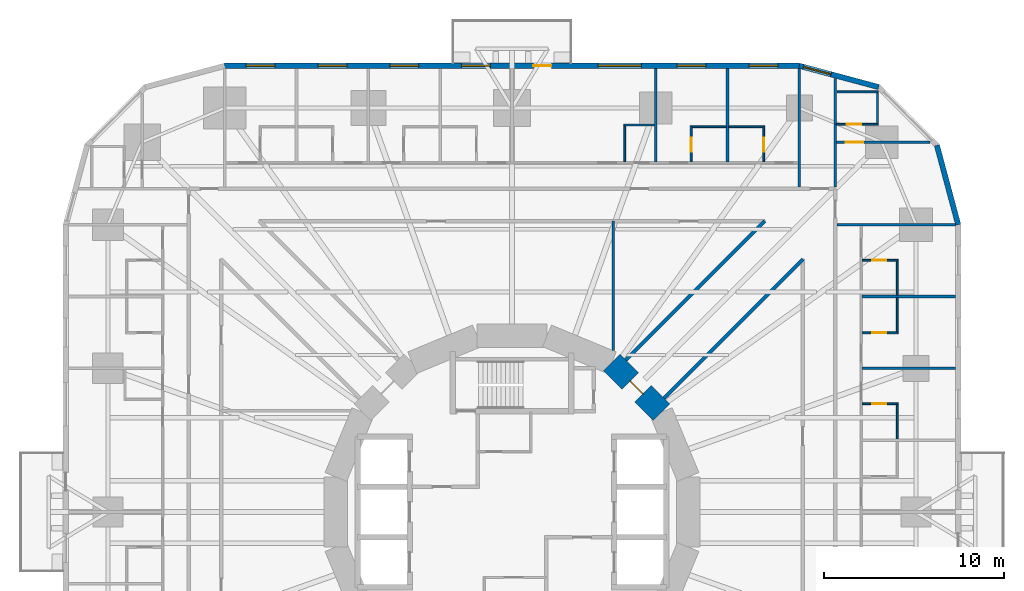
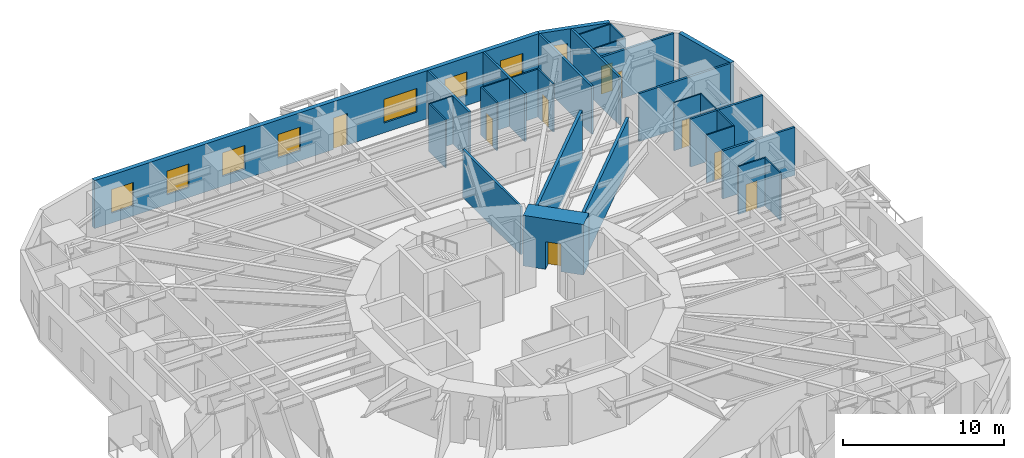
# One storey, part 11 of 14: 30 walls, 9 doors, 8 windows, 17 openings.
"""IFC4 building model written with IfcOpenShell, lengths in metres."""

from ifc_helpers import new_model, si_unit, direction, frame, frame_2d, origin, place, context, subcontext, project, spatial, rectangle, extrude, material, layer, layer_set, type_object, element, fill, save


model = new_model("IFC4")

# Units and contexts
model_context = context("Model", 3, precision=1e-05, world=origin(), true_north=direction((0.0, 1.0)))
body_context = subcontext(model_context, "Body", "Model", "MODEL_VIEW")
ifc_project = project(units=[si_unit("LENGTHUNIT", "METRE"), si_unit("AREAUNIT", "SQUARE_METRE"), si_unit("VOLUMEUNIT", "CUBIC_METRE"), si_unit("PLANEANGLEUNIT", "RADIAN"), si_unit("MASSUNIT", "GRAM", prefix="KILO")], contexts=[model_context])

# Site, building, storey
site_placement = place(None, origin())
site = spatial("IfcSite", under=ifc_project, at=site_placement, CompositionType="ELEMENT")
building_placement = place(site_placement, origin())
building = spatial("IfcBuilding", under=site, at=building_placement, Name="Nakasero Lantern House", CompositionType="ELEMENT")
storey_placement = place(building_placement, frame((0.0, 0.0, 39.10009765625)))
storey = spatial("IfcBuildingStorey", under=building, at=storey_placement, Name="L09", CompositionType="ELEMENT", Elevation=39.10009765625)

# Wall, opening, door
ifc_material_1 = material(Name="Concrete C50/60", Category="concrete")
ifc_layer_1 = layer(ifc_material_1, 1.300048828125)
ifc_layer_set_1 = layer_set([ifc_layer_1], Name="Core wall 1300")
wall_type_1 = type_object("IfcWallType", Name="Core wall 1300", PredefinedType="SHEAR", material=ifc_layer_set_1)
wall_1_placement = place(storey_placement, frame((8.314697265625, 5.5556640625, 0.0), z_axis=(0.0, 0.0, 1.0), x_axis=(-0.707106781187, 0.707106781187, 0.0)))
wall_1 = element("IfcWall", 1, at=wall_1_placement, inside=storey, type_object=wall_type_1, Name="Core wall L09 facet 2", PredefinedType="SHEAR", context=body_context, shape_type="SweptSolid", body=[
    extrude(rectangle(XDim=3.90185546875, YDim=1.300048828125, at=frame_2d((1.950927734375, 0.0))), origin(), (0.0, 0.0, 1.0), 3.849853515625),
])
opening_1_placement = place(wall_1_placement, frame((1.450927734375, 0.0, 0.0)))
opening_1 = element("IfcOpeningElement", 2, at=opening_1_placement, cuts=wall_1, Name="Opening D05", PredefinedType="OPENING", context=body_context, shape_type="SweptSolid", body=[
    extrude(rectangle(XDim=1.0, YDim=2.10009765625, at=frame_2d((0.5, 1.050048828125))), frame((0.0, 0.669921875, 0.0), z_axis=(0.0, -1.0, 0.0), x_axis=(1.0, 0.0, 0.0)), (0.0, 0.0, 1.0), 1.340087890625),
])
ifc_material_2 = material(Name="Timber C24", Category="wood")
door_type_1 = type_object("IfcDoorType", Name="Core door FD60S 1000", OperationType="SINGLE_SWING_LEFT", PredefinedType="DOOR", material=ifc_material_2)
door_1_placement = place(opening_1_placement, origin())
door_1 = element("IfcDoor", 3, at=door_1_placement, inside=storey, type_object=door_type_1, Name="Door L09 D-CORE02", OperationType="SINGLE_SWING_LEFT", OverallHeight=2.10009765625, OverallWidth=1.0, PredefinedType="DOOR", context=body_context, shape_type="SweptSolid", body=[
    extrude(rectangle(XDim=1.0, YDim=2.10009765625, at=frame_2d((0.5, 1.050048828125))), frame((0.0, 0.02490234375, 0.0), z_axis=(0.0, -1.0, 0.0), x_axis=(1.0, 0.0, 0.0)), (0.0, 0.0, 1.0), 0.050048828125),
])
fill(opening_1, door_1)

# Walls
ifc_material_3 = material(Name="Blockwork", Category="masonry")
ifc_layer_2 = layer(ifc_material_3, 0.199951171875)
ifc_layer_set_2 = layer_set([ifc_layer_2], Name="Corridor wall 200")
wall_type_2 = type_object("IfcWallType", Name="Corridor wall 200", PredefinedType="PARTITIONING", material=ifc_layer_set_2)
for number, where, z_axis, x_axis, name in (
    (4, (6.334228515625, 8.45556640625, 0.0), (0.0, 0.0, 1.0), (0.707106781187, 0.707106781187, 0.0), "Corridor wall L09 PS02a"),
    (5, (8.45556640625, 6.334228515625, 0.0), (0.0, 0.0, 1.0), (0.707106781187, 0.707106781187, 0.0), "Corridor wall L09 PS02b"),
):
    element("IfcWall", number, at=place(storey_placement, frame(where, z_axis=z_axis, x_axis=x_axis)), inside=storey, type_object=wall_type_2, Name=name, PredefinedType="PARTITIONING", context=body_context, shape_type="SweptSolid", body=[
        extrude(rectangle(XDim=10.9521484375, YDim=0.199951171875, at=frame_2d((5.47607421875, 0.0))), origin(), (0.0, 0.0, 1.0), 3.64990234375),
    ])

# Wall, opening, door
ifc_material_4 = material(Name="Blockwork", Category="masonry")
ifc_layer_3 = layer(ifc_material_4, 0.10009765625)
ifc_layer_set_3 = layer_set([ifc_layer_3], Name="En-suite wall 100")
wall_type_3 = type_object("IfcWallType", Name="En-suite wall 100", PredefinedType="PARTITIONING", material=ifc_layer_set_3)
wall_2_placement = place(storey_placement, frame((19.5, 6.02490234375, 0.0), z_axis=(0.0, 0.0, 1.0), x_axis=(1.0, 0.0, 0.0)))
wall_2 = element("IfcWall", 6, at=wall_2_placement, inside=storey, type_object=wall_type_3, Name="En-suite wall L09 ES0-06", PredefinedType="PARTITIONING", context=body_context, shape_type="SweptSolid", body=[
    extrude(rectangle(XDim=2.0, YDim=0.10009765625, at=frame_2d((1.0, 0.0))), origin(), (0.0, 0.0, 1.0), 3.64990234375),
])
opening_2_placement = place(wall_2_placement, frame((0.550048828125, 0.0, 0.0)))
opening_2 = element("IfcOpeningElement", 7, at=opening_2_placement, cuts=wall_2, Name="Opening D02", PredefinedType="OPENING", context=body_context, shape_type="SweptSolid", body=[
    extrude(rectangle(XDim=0.800048828125, YDim=2.10009765625, at=frame_2d((0.39990234375, 1.050048828125))), frame((0.0, 0.070068359375, 0.0), z_axis=(0.0, -1.0, 0.0), x_axis=(1.0, 0.0, 0.0)), (0.0, 0.0, 1.0), 0.14013671875),
])
ifc_material_5 = material(Name="Timber C24", Category="wood")
door_type_2 = type_object("IfcDoorType", Name="En-suite door 800", OperationType="SINGLE_SWING_RIGHT", PredefinedType="DOOR", material=ifc_material_5)
door_2_placement = place(opening_2_placement, origin())
door_2 = element("IfcDoor", 8, at=door_2_placement, inside=storey, type_object=door_type_2, Name="Door L09 DE0-06", OperationType="SINGLE_SWING_LEFT", OverallHeight=2.10009765625, OverallWidth=0.800048828125, PredefinedType="DOOR", context=body_context, shape_type="SweptSolid", body=[
    extrude(rectangle(XDim=0.800048828125, YDim=2.10009765625, at=frame_2d((0.39990234375, 1.050048828125))), frame((0.0, 0.02490234375, 0.0), z_axis=(0.0, -1.0, 0.0), x_axis=(1.0, 0.0, 0.0)), (0.0, 0.0, 1.0), 0.050048828125),
])
fill(opening_2, door_2)

# Wall
wall_3_placement = place(storey_placement, frame((21.449951171875, 4.074951171875, 0.0), z_axis=(0.0, 0.0, 1.0), x_axis=(0.0, 1.0, 0.0)))
element("IfcWall", 9, at=wall_3_placement, inside=storey, type_object=wall_type_3, Name="En-suite wall L09 EE0-06", PredefinedType="PARTITIONING", context=body_context, shape_type="SweptSolid", body=[
    extrude(rectangle(XDim=1.900146484375, YDim=0.10009765625, at=frame_2d((0.9501953125, 0.0))), origin(), (0.0, 0.0, 1.0), 3.64990234375),
])

# Wall, opening, door
wall_4_placement = place(storey_placement, frame((19.5, 9.97509765625, 0.0), z_axis=(0.0, 0.0, 1.0), x_axis=(1.0, 0.0, 0.0)))
wall_4 = element("IfcWall", 10, at=wall_4_placement, inside=storey, type_object=wall_type_3, Name="En-suite wall L09 ES0-07", PredefinedType="PARTITIONING", context=body_context, shape_type="SweptSolid", body=[
    extrude(rectangle(XDim=2.0, YDim=0.10009765625, at=frame_2d((1.0, 0.0))), origin(), (0.0, 0.0, 1.0), 3.64990234375),
])
opening_3_placement = place(wall_4_placement, frame((0.550048828125, 0.0, 0.0)))
opening_3 = element("IfcOpeningElement", 11, at=opening_3_placement, cuts=wall_4, Name="Opening D02", PredefinedType="OPENING", context=body_context, shape_type="SweptSolid", body=[
    extrude(rectangle(XDim=0.800048828125, YDim=2.10009765625, at=frame_2d((0.39990234375, 1.050048828125))), frame((0.0, 0.070068359375, 0.0), z_axis=(0.0, -1.0, 0.0), x_axis=(1.0, 0.0, 0.0)), (0.0, 0.0, 1.0), 0.14013671875),
])
door_3_placement = place(opening_3_placement, origin())
door_3 = element("IfcDoor", 12, at=door_3_placement, inside=storey, type_object=door_type_2, Name="Door L09 DE0-07", OperationType="SINGLE_SWING_LEFT", OverallHeight=2.10009765625, OverallWidth=0.800048828125, PredefinedType="DOOR", context=body_context, shape_type="SweptSolid", body=[
    extrude(rectangle(XDim=0.800048828125, YDim=2.10009765625, at=frame_2d((0.39990234375, 1.050048828125))), frame((0.0, 0.02490234375, 0.0), z_axis=(0.0, -1.0, 0.0), x_axis=(1.0, 0.0, 0.0)), (0.0, 0.0, 1.0), 0.050048828125),
])
fill(opening_3, door_3)

# Wall
wall_5_placement = place(storey_placement, frame((21.449951171875, 10.02490234375, 0.0), z_axis=(0.0, 0.0, 1.0), x_axis=(0.0, 1.0, 0.0)))
element("IfcWall", 13, at=wall_5_placement, inside=storey, type_object=wall_type_3, Name="En-suite wall L09 EE0-07", PredefinedType="PARTITIONING", context=body_context, shape_type="SweptSolid", body=[
    extrude(rectangle(XDim=1.900146484375, YDim=0.10009765625, at=frame_2d((0.9501953125, 0.0))), origin(), (0.0, 0.0, 1.0), 3.64990234375),
])

# Wall, opening, door
wall_6_placement = place(storey_placement, frame((19.5, 14.02490234375, 0.0), z_axis=(0.0, 0.0, 1.0), x_axis=(1.0, 0.0, 0.0)))
wall_6 = element("IfcWall", 14, at=wall_6_placement, inside=storey, type_object=wall_type_3, Name="En-suite wall L09 ES0-08", PredefinedType="PARTITIONING", context=body_context, shape_type="SweptSolid", body=[
    extrude(rectangle(XDim=2.0, YDim=0.10009765625, at=frame_2d((1.0, 0.0))), origin(), (0.0, 0.0, 1.0), 3.64990234375),
])
opening_4_placement = place(wall_6_placement, frame((0.550048828125, 0.0, 0.0)))
opening_4 = element("IfcOpeningElement", 15, at=opening_4_placement, cuts=wall_6, Name="Opening D02", PredefinedType="OPENING", context=body_context, shape_type="SweptSolid", body=[
    extrude(rectangle(XDim=0.800048828125, YDim=2.10009765625, at=frame_2d((0.39990234375, 1.050048828125))), frame((0.0, 0.070068359375, 0.0), z_axis=(0.0, -1.0, 0.0), x_axis=(1.0, 0.0, 0.0)), (0.0, 0.0, 1.0), 0.14013671875),
])
door_4_placement = place(opening_4_placement, origin())
door_4 = element("IfcDoor", 16, at=door_4_placement, inside=storey, type_object=door_type_2, Name="Door L09 DE0-08", OperationType="SINGLE_SWING_LEFT", OverallHeight=2.10009765625, OverallWidth=0.800048828125, PredefinedType="DOOR", context=body_context, shape_type="SweptSolid", body=[
    extrude(rectangle(XDim=0.800048828125, YDim=2.10009765625, at=frame_2d((0.39990234375, 1.050048828125))), frame((0.0, 0.02490234375, 0.0), z_axis=(0.0, -1.0, 0.0), x_axis=(1.0, 0.0, 0.0)), (0.0, 0.0, 1.0), 0.050048828125),
])
fill(opening_4, door_4)

# Wall
wall_7_placement = place(storey_placement, frame((21.449951171875, 12.074951171875, 0.0), z_axis=(0.0, 0.0, 1.0), x_axis=(0.0, 1.0, 0.0)))
element("IfcWall", 17, at=wall_7_placement, inside=storey, type_object=wall_type_3, Name="En-suite wall L09 EE0-08", PredefinedType="PARTITIONING", context=body_context, shape_type="SweptSolid", body=[
    extrude(rectangle(XDim=1.900146484375, YDim=0.10009765625, at=frame_2d((0.9501953125, 0.0))), origin(), (0.0, 0.0, 1.0), 3.64990234375),
])

# Wall, opening, door
wall_8_placement = place(storey_placement, frame((18.06494140625, 21.59619140625, 0.0), z_axis=(0.0, 0.0, 1.0), x_axis=(1.0, 0.0, 0.0)))
wall_8 = element("IfcWall", 18, at=wall_8_placement, inside=storey, type_object=wall_type_3, Name="En-suite wall L09 ES0-09", PredefinedType="PARTITIONING", context=body_context, shape_type="SweptSolid", body=[
    extrude(rectangle(XDim=2.3349609375, YDim=0.10009765625, at=frame_2d((1.16748046875, 0.0))), origin(), (0.0, 0.0, 1.0), 3.64990234375),
])
opening_5_placement = place(wall_8_placement, frame((0.5849609375, 0.0, 0.0)))
opening_5 = element("IfcOpeningElement", 19, at=opening_5_placement, cuts=wall_8, Name="Opening D02", PredefinedType="OPENING", context=body_context, shape_type="SweptSolid", body=[
    extrude(rectangle(XDim=0.800048828125, YDim=2.10009765625, at=frame_2d((0.39990234375, 1.050048828125))), frame((0.0, 0.070068359375, 0.0), z_axis=(0.0, -1.0, 0.0), x_axis=(1.0, 0.0, 0.0)), (0.0, 0.0, 1.0), 0.14013671875),
])
door_5_placement = place(opening_5_placement, origin())
door_5 = element("IfcDoor", 20, at=door_5_placement, inside=storey, type_object=door_type_2, Name="Door L09 DE0-09", OperationType="SINGLE_SWING_LEFT", OverallHeight=2.10009765625, OverallWidth=0.800048828125, PredefinedType="DOOR", context=body_context, shape_type="SweptSolid", body=[
    extrude(rectangle(XDim=0.800048828125, YDim=2.10009765625, at=frame_2d((0.39990234375, 1.050048828125))), frame((0.0, 0.02490234375, 0.0), z_axis=(0.0, -1.0, 0.0), x_axis=(1.0, 0.0, 0.0)), (0.0, 0.0, 1.0), 0.050048828125),
])
fill(opening_5, door_5)

# Walls
wall_9_placement = place(storey_placement, frame((20.35009765625, 21.646240234375, 0.0), z_axis=(0.0, 0.0, 1.0), x_axis=(0.0, 1.0, 0.0)))
element("IfcWall", 21, at=wall_9_placement, inside=storey, type_object=wall_type_3, Name="En-suite wall L09 EE0-09", PredefinedType="PARTITIONING", context=body_context, shape_type="SweptSolid", body=[
    extrude(rectangle(XDim=1.699951171875, YDim=0.10009765625, at=frame_2d((0.85009765625, 0.0))), origin(), (0.0, 0.0, 1.0), 3.64990234375),
])
wall_10_placement = place(storey_placement, frame((18.10009765625, 23.396240234375, 0.0), z_axis=(0.0, 0.0, 1.0), x_axis=(1.0, 0.0, 0.0)))
element("IfcWall", 22, at=wall_10_placement, inside=storey, type_object=wall_type_3, Name="En-suite wall L09 EV0-09", PredefinedType="PARTITIONING", context=body_context, shape_type="SweptSolid", body=[
    extrude(rectangle(XDim=2.2998046875, YDim=0.10009765625, at=frame_2d((1.14990234375, 0.0))), origin(), (0.0, 0.0, 1.0), 3.64990234375),
])
wall_11_placement = place(storey_placement, frame((6.27490234375, 19.5, 0.0), z_axis=(0.0, 0.0, 1.0), x_axis=(0.0, 1.0, 0.0)))
element("IfcWall", 23, at=wall_11_placement, inside=storey, type_object=wall_type_3, Name="En-suite wall L09 SS1-0", PredefinedType="PARTITIONING", context=body_context, shape_type="SweptSolid", body=[
    extrude(rectangle(XDim=2.10009765625, YDim=0.10009765625, at=frame_2d((1.050048828125, 0.0))), origin(), (0.0, 0.0, 1.0), 3.64990234375),
])
wall_12_placement = place(storey_placement, frame((7.925048828125, 21.550048828125, 0.0), z_axis=(0.0, 0.0, 1.0), x_axis=(-1.0, 0.0, 0.0)))
element("IfcWall", 24, at=wall_12_placement, inside=storey, type_object=wall_type_3, Name="En-suite wall L09 SE1-0", PredefinedType="PARTITIONING", context=body_context, shape_type="SweptSolid", body=[
    extrude(rectangle(XDim=1.699951171875, YDim=0.10009765625, at=frame_2d((0.85009765625, 0.0))), origin(), (0.0, 0.0, 1.0), 3.64990234375),
])

# Wall, opening, door
wall_13_placement = place(storey_placement, frame((14.02490234375, 19.5, 0.0), z_axis=(0.0, 0.0, 1.0), x_axis=(0.0, 1.0, 0.0)))
wall_13 = element("IfcWall", 25, at=wall_13_placement, inside=storey, type_object=wall_type_3, Name="En-suite wall L09 ES1-01", PredefinedType="PARTITIONING", context=body_context, shape_type="SweptSolid", body=[
    extrude(rectangle(XDim=2.0, YDim=0.10009765625, at=frame_2d((1.0, 0.0))), origin(), (0.0, 0.0, 1.0), 3.64990234375),
])
opening_6_placement = place(wall_13_placement, frame((0.550048828125, 0.0, 0.0)))
opening_6 = element("IfcOpeningElement", 26, at=opening_6_placement, cuts=wall_13, Name="Opening D02", PredefinedType="OPENING", context=body_context, shape_type="SweptSolid", body=[
    extrude(rectangle(XDim=0.800048828125, YDim=2.10009765625, at=frame_2d((0.39990234375, 1.050048828125))), frame((0.0, 0.070068359375, 0.0), z_axis=(0.0, -1.0, 0.0), x_axis=(1.0, 0.0, 0.0)), (0.0, 0.0, 1.0), 0.14013671875),
])
door_6_placement = place(opening_6_placement, origin())
door_6 = element("IfcDoor", 27, at=door_6_placement, inside=storey, type_object=door_type_2, Name="Door L09 DE1-01", OperationType="SINGLE_SWING_LEFT", OverallHeight=2.10009765625, OverallWidth=0.800048828125, PredefinedType="DOOR", context=body_context, shape_type="SweptSolid", body=[
    extrude(rectangle(XDim=0.800048828125, YDim=2.10009765625, at=frame_2d((0.39990234375, 1.050048828125))), frame((0.0, 0.02490234375, 0.0), z_axis=(0.0, -1.0, 0.0), x_axis=(1.0, 0.0, 0.0)), (0.0, 0.0, 1.0), 0.050048828125),
])
fill(opening_6, door_6)

# Wall
wall_14_placement = place(storey_placement, frame((13.97509765625, 21.449951171875, 0.0), z_axis=(0.0, 0.0, 1.0), x_axis=(-1.0, 0.0, 0.0)))
element("IfcWall", 28, at=wall_14_placement, inside=storey, type_object=wall_type_3, Name="En-suite wall L09 EE1-01", PredefinedType="PARTITIONING", context=body_context, shape_type="SweptSolid", body=[
    extrude(rectangle(XDim=1.900146484375, YDim=0.10009765625, at=frame_2d((0.9501953125, 0.0))), origin(), (0.0, 0.0, 1.0), 3.64990234375),
])

# Wall, opening, door
wall_15_placement = place(storey_placement, frame((9.97509765625, 19.5, 0.0), z_axis=(0.0, 0.0, 1.0), x_axis=(0.0, 1.0, 0.0)))
wall_15 = element("IfcWall", 29, at=wall_15_placement, inside=storey, type_object=wall_type_3, Name="En-suite wall L09 ES1-02", PredefinedType="PARTITIONING", context=body_context, shape_type="SweptSolid", body=[
    extrude(rectangle(XDim=2.0, YDim=0.10009765625, at=frame_2d((1.0, 0.0))), origin(), (0.0, 0.0, 1.0), 3.64990234375),
])
opening_7_placement = place(wall_15_placement, frame((0.550048828125, 0.0, 0.0)))
opening_7 = element("IfcOpeningElement", 30, at=opening_7_placement, cuts=wall_15, Name="Opening D02", PredefinedType="OPENING", context=body_context, shape_type="SweptSolid", body=[
    extrude(rectangle(XDim=0.800048828125, YDim=2.10009765625, at=frame_2d((0.39990234375, 1.050048828125))), frame((0.0, 0.070068359375, 0.0), z_axis=(0.0, -1.0, 0.0), x_axis=(1.0, 0.0, 0.0)), (0.0, 0.0, 1.0), 0.14013671875),
])
door_7_placement = place(opening_7_placement, origin())
door_7 = element("IfcDoor", 31, at=door_7_placement, inside=storey, type_object=door_type_2, Name="Door L09 DE1-02", OperationType="SINGLE_SWING_LEFT", OverallHeight=2.10009765625, OverallWidth=0.800048828125, PredefinedType="DOOR", context=body_context, shape_type="SweptSolid", body=[
    extrude(rectangle(XDim=0.800048828125, YDim=2.10009765625, at=frame_2d((0.39990234375, 1.050048828125))), frame((0.0, 0.02490234375, 0.0), z_axis=(0.0, -1.0, 0.0), x_axis=(1.0, 0.0, 0.0)), (0.0, 0.0, 1.0), 0.050048828125),
])
fill(opening_7, door_7)

# Walls
wall_16_placement = place(storey_placement, frame((11.925048828125, 21.449951171875, 0.0), z_axis=(0.0, 0.0, 1.0), x_axis=(-1.0, 0.0, 0.0)))
element("IfcWall", 32, at=wall_16_placement, inside=storey, type_object=wall_type_3, Name="En-suite wall L09 EE1-02", PredefinedType="PARTITIONING", context=body_context, shape_type="SweptSolid", body=[
    extrude(rectangle(XDim=1.900146484375, YDim=0.10009765625, at=frame_2d((0.9501953125, 0.0))), origin(), (0.0, 0.0, 1.0), 3.64990234375),
])
ifc_material_6 = material(Name="Aluminium rainscreen on blockwork", Category="masonry")
ifc_layer_4 = layer(ifc_material_6, 0.300048828125)
ifc_layer_set_4 = layer_set([ifc_layer_4], Name="Facade wall 300")
wall_type_4 = type_object("IfcWallType", Name="Facade wall 300", PredefinedType="SOLIDWALL", material=ifc_layer_set_4)
wall_17_placement = place(storey_placement, frame((24.85009765625, 16.0, 0.0), z_axis=(0.0, 0.0, 1.0), x_axis=(-0.258839972501, 0.965920218567, 0.0)))
element("IfcWall", 33, at=wall_17_placement, inside=storey, type_object=wall_type_4, Name="Facade wall L09 FW0C1", PredefinedType="SOLIDWALL", context=body_context, shape_type="SweptSolid", body=[
    extrude(rectangle(XDim=4.5810546875, YDim=0.300048828125, at=frame_2d((2.29052734375, 0.0))), origin(), (0.0, 0.0, 1.0), 3.64990234375),
])

# Wall, opening, window
wall_18_placement = place(storey_placement, frame((20.425048828125, 23.664306640625, 0.0), z_axis=(0.0, 0.0, 1.0), x_axis=(-0.965920218567, 0.258839972501, 0.0)))
wall_18 = element("IfcWall", 34, at=wall_18_placement, inside=storey, type_object=wall_type_4, Name="Facade wall L09 FW0C3", PredefinedType="SOLIDWALL", context=body_context, shape_type="SweptSolid", body=[
    extrude(rectangle(XDim=4.5810546875, YDim=0.300048828125, at=frame_2d((2.29052734375, 0.0))), origin(), (0.0, 0.0, 1.0), 3.64990234375),
])
opening_8_placement = place(wall_18_placement, frame((2.74609375, 0.0, 0.75)))
opening_8 = element("IfcOpeningElement", 35, at=opening_8_placement, cuts=wall_18, Name="Opening W01", PredefinedType="OPENING", context=body_context, shape_type="SweptSolid", body=[
    extrude(rectangle(XDim=1.60009765625, YDim=1.800048828125, at=frame_2d((0.800048828125, 0.89990234375))), frame((0.0, 0.169921875, 0.0), z_axis=(0.0, -1.0, 0.0), x_axis=(1.0, 0.0, 0.0)), (0.0, 0.0, 1.0), 0.340087890625),
])
ifc_material_7 = material(Name="Aluminium 6063-T6 and glass", Category="aluminium")
window_type_1 = type_object("IfcWindowType", Name="Bedroom window 1600x1800", PartitioningType="SINGLE_PANEL", PredefinedType="WINDOW", material=ifc_material_7)
window_1_placement = place(opening_8_placement, origin())
window_1 = element("IfcWindow", 36, at=window_1_placement, inside=storey, type_object=window_type_1, Name="Window L09 WN1-00", OverallHeight=1.800048828125, OverallWidth=1.60009765625, PartitioningType="SINGLE_PANEL", PredefinedType="WINDOW", context=body_context, shape_type="SweptSolid", body=[
    extrude(rectangle(XDim=1.60009765625, YDim=1.800048828125, at=frame_2d((0.800048828125, 0.89990234375))), frame((0.0, 0.030029296875, 0.0), z_axis=(0.0, -1.0, 0.0), x_axis=(1.0, 0.0, 0.0)), (0.0, 0.0, 1.0), 0.06005859375),
])
fill(opening_8, window_1)

# Wall, openings, door, windows
wall_19_placement = place(storey_placement, frame((16.0, 24.85009765625, 0.0), z_axis=(0.0, 0.0, 1.0), x_axis=(-1.0, 0.0, 0.0)))
wall_19 = element("IfcWall", 37, at=wall_19_placement, inside=storey, type_object=wall_type_4, Name="Facade wall L09 FW1S", PredefinedType="SOLIDWALL", context=body_context, shape_type="SweptSolid", body=[
    extrude(rectangle(XDim=32.0, YDim=0.300048828125, at=frame_2d((16.0, 0.0))), origin(), (0.0, 0.0, 1.0), 3.64990234375),
])
opening_9_placement = place(wall_19_placement, frame((1.199951171875, 0.0, 0.75)))
opening_9 = element("IfcOpeningElement", 38, at=opening_9_placement, cuts=wall_19, Name="Opening W01", PredefinedType="OPENING", context=body_context, shape_type="SweptSolid", body=[
    extrude(rectangle(XDim=1.60009765625, YDim=1.800048828125, at=frame_2d((0.800048828125, 0.89990234375))), frame((0.0, 0.169921875, 0.0), z_axis=(0.0, -1.0, 0.0), x_axis=(1.0, 0.0, 0.0)), (0.0, 0.0, 1.0), 0.340087890625),
])
opening_10_placement = place(wall_19_placement, frame((5.199951171875, 0.0, 0.75)))
opening_10 = element("IfcOpeningElement", 39, at=opening_10_placement, cuts=wall_19, Name="Opening W01", PredefinedType="OPENING", context=body_context, shape_type="SweptSolid", body=[
    extrude(rectangle(XDim=1.60009765625, YDim=1.800048828125, at=frame_2d((0.800048828125, 0.89990234375))), frame((0.0, 0.169921875, 0.0), z_axis=(0.0, -1.0, 0.0), x_axis=(1.0, 0.0, 0.0)), (0.0, 0.0, 1.0), 0.340087890625),
])
opening_11_placement = place(wall_19_placement, frame((17.199951171875, 0.0, 0.75)))
opening_11 = element("IfcOpeningElement", 40, at=opening_11_placement, cuts=wall_19, Name="Opening W01", PredefinedType="OPENING", context=body_context, shape_type="SweptSolid", body=[
    extrude(rectangle(XDim=1.60009765625, YDim=1.800048828125, at=frame_2d((0.800048828125, 0.89990234375))), frame((0.0, 0.169921875, 0.0), z_axis=(0.0, -1.0, 0.0), x_axis=(1.0, 0.0, 0.0)), (0.0, 0.0, 1.0), 0.340087890625),
])
opening_12_placement = place(wall_19_placement, frame((21.199951171875, 0.0, 0.75)))
opening_12 = element("IfcOpeningElement", 41, at=opening_12_placement, cuts=wall_19, Name="Opening W01", PredefinedType="OPENING", context=body_context, shape_type="SweptSolid", body=[
    extrude(rectangle(XDim=1.60009765625, YDim=1.800048828125, at=frame_2d((0.800048828125, 0.89990234375))), frame((0.0, 0.169921875, 0.0), z_axis=(0.0, -1.0, 0.0), x_axis=(1.0, 0.0, 0.0)), (0.0, 0.0, 1.0), 0.340087890625),
])
opening_13_placement = place(wall_19_placement, frame((25.199951171875, 0.0, 0.75)))
opening_13 = element("IfcOpeningElement", 42, at=opening_13_placement, cuts=wall_19, Name="Opening W01", PredefinedType="OPENING", context=body_context, shape_type="SweptSolid", body=[
    extrude(rectangle(XDim=1.60009765625, YDim=1.800048828125, at=frame_2d((0.800048828125, 0.89990234375))), frame((0.0, 0.169921875, 0.0), z_axis=(0.0, -1.0, 0.0), x_axis=(1.0, 0.0, 0.0)), (0.0, 0.0, 1.0), 0.340087890625),
])
opening_14_placement = place(wall_19_placement, frame((29.199951171875, 0.0, 0.75)))
opening_14 = element("IfcOpeningElement", 43, at=opening_14_placement, cuts=wall_19, Name="Opening W01", PredefinedType="OPENING", context=body_context, shape_type="SweptSolid", body=[
    extrude(rectangle(XDim=1.60009765625, YDim=1.800048828125, at=frame_2d((0.800048828125, 0.89990234375))), frame((0.0, 0.169921875, 0.0), z_axis=(0.0, -1.0, 0.0), x_axis=(1.0, 0.0, 0.0)), (0.0, 0.0, 1.0), 0.340087890625),
])
opening_15_placement = place(wall_19_placement, frame((8.800048828125, 0.0, 0.75)))
opening_15 = element("IfcOpeningElement", 44, at=opening_15_placement, cuts=wall_19, Name="Opening W03", PredefinedType="OPENING", context=body_context, shape_type="SweptSolid", body=[
    extrude(rectangle(XDim=2.39990234375, YDim=1.800048828125, at=frame_2d((1.199951171875, 0.89990234375))), frame((0.0, 0.169921875, 0.0), z_axis=(0.0, -1.0, 0.0), x_axis=(1.0, 0.0, 0.0)), (0.0, 0.0, 1.0), 0.340087890625),
])
opening_16_placement = place(wall_19_placement, frame((13.8125, 0.0, 0.0)))
opening_16 = element("IfcOpeningElement", 45, at=opening_16_placement, cuts=wall_19, Name="Opening D04", PredefinedType="OPENING", context=body_context, shape_type="SweptSolid", body=[
    extrude(rectangle(XDim=1.0, YDim=2.39990234375, at=frame_2d((0.5, 1.199951171875))), frame((0.0, 0.169921875, 0.0), z_axis=(0.0, -1.0, 0.0), x_axis=(1.0, 0.0, 0.0)), (0.0, 0.0, 1.0), 0.340087890625),
])
ifc_material_8 = material(Name="Aluminium 6063-T6 and glass", Category="aluminium")
door_type_3 = type_object("IfcDoorType", Name="Balcony door 1000x2400", OperationType="SINGLE_SWING_RIGHT", PredefinedType="DOOR", material=ifc_material_8)
door_8_placement = place(opening_16_placement, origin())
door_8 = element("IfcDoor", 46, at=door_8_placement, inside=storey, type_object=door_type_3, Name="Balcony door L09 DB1", OperationType="SINGLE_SWING_RIGHT", OverallHeight=2.39990234375, OverallWidth=1.0, PredefinedType="DOOR", context=body_context, shape_type="SweptSolid", body=[
    extrude(rectangle(XDim=1.0, YDim=2.39990234375, at=frame_2d((0.5, 1.199951171875))), frame((0.0, 0.02490234375, 0.0), z_axis=(0.0, -1.0, 0.0), x_axis=(1.0, 0.0, 0.0)), (0.0, 0.0, 1.0), 0.050048828125),
])
fill(opening_16, door_8)
window_2_placement = place(opening_9_placement, origin())
window_2 = element("IfcWindow", 47, at=window_2_placement, inside=storey, type_object=window_type_1, Name="Window L09 WN1-01", OverallHeight=1.800048828125, OverallWidth=1.60009765625, PartitioningType="SINGLE_PANEL", PredefinedType="WINDOW", context=body_context, shape_type="SweptSolid", body=[
    extrude(rectangle(XDim=1.60009765625, YDim=1.800048828125, at=frame_2d((0.800048828125, 0.89990234375))), frame((0.0, 0.030029296875, 0.0), z_axis=(0.0, -1.0, 0.0), x_axis=(1.0, 0.0, 0.0)), (0.0, 0.0, 1.0), 0.06005859375),
])
fill(opening_9, window_2)
window_3_placement = place(opening_10_placement, origin())
window_3 = element("IfcWindow", 48, at=window_3_placement, inside=storey, type_object=window_type_1, Name="Window L09 WN1-02", OverallHeight=1.800048828125, OverallWidth=1.60009765625, PartitioningType="SINGLE_PANEL", PredefinedType="WINDOW", context=body_context, shape_type="SweptSolid", body=[
    extrude(rectangle(XDim=1.60009765625, YDim=1.800048828125, at=frame_2d((0.800048828125, 0.89990234375))), frame((0.0, 0.030029296875, 0.0), z_axis=(0.0, -1.0, 0.0), x_axis=(1.0, 0.0, 0.0)), (0.0, 0.0, 1.0), 0.06005859375),
])
fill(opening_10, window_3)
window_4_placement = place(opening_11_placement, origin())
window_4 = element("IfcWindow", 49, at=window_4_placement, inside=storey, type_object=window_type_1, Name="Window L09 WN1-05", OverallHeight=1.800048828125, OverallWidth=1.60009765625, PartitioningType="SINGLE_PANEL", PredefinedType="WINDOW", context=body_context, shape_type="SweptSolid", body=[
    extrude(rectangle(XDim=1.60009765625, YDim=1.800048828125, at=frame_2d((0.800048828125, 0.89990234375))), frame((0.0, 0.030029296875, 0.0), z_axis=(0.0, -1.0, 0.0), x_axis=(1.0, 0.0, 0.0)), (0.0, 0.0, 1.0), 0.06005859375),
])
fill(opening_11, window_4)
window_5_placement = place(opening_12_placement, origin())
window_5 = element("IfcWindow", 50, at=window_5_placement, inside=storey, type_object=window_type_1, Name="Window L09 WN1-06", OverallHeight=1.800048828125, OverallWidth=1.60009765625, PartitioningType="SINGLE_PANEL", PredefinedType="WINDOW", context=body_context, shape_type="SweptSolid", body=[
    extrude(rectangle(XDim=1.60009765625, YDim=1.800048828125, at=frame_2d((0.800048828125, 0.89990234375))), frame((0.0, 0.030029296875, 0.0), z_axis=(0.0, -1.0, 0.0), x_axis=(1.0, 0.0, 0.0)), (0.0, 0.0, 1.0), 0.06005859375),
])
fill(opening_12, window_5)
window_6_placement = place(opening_13_placement, origin())
window_6 = element("IfcWindow", 51, at=window_6_placement, inside=storey, type_object=window_type_1, Name="Window L09 WN1-07", OverallHeight=1.800048828125, OverallWidth=1.60009765625, PartitioningType="SINGLE_PANEL", PredefinedType="WINDOW", context=body_context, shape_type="SweptSolid", body=[
    extrude(rectangle(XDim=1.60009765625, YDim=1.800048828125, at=frame_2d((0.800048828125, 0.89990234375))), frame((0.0, 0.030029296875, 0.0), z_axis=(0.0, -1.0, 0.0), x_axis=(1.0, 0.0, 0.0)), (0.0, 0.0, 1.0), 0.06005859375),
])
fill(opening_13, window_6)
window_7_placement = place(opening_14_placement, origin())
window_7 = element("IfcWindow", 52, at=window_7_placement, inside=storey, type_object=window_type_1, Name="Window L09 WN1-08", OverallHeight=1.800048828125, OverallWidth=1.60009765625, PartitioningType="SINGLE_PANEL", PredefinedType="WINDOW", context=body_context, shape_type="SweptSolid", body=[
    extrude(rectangle(XDim=1.60009765625, YDim=1.800048828125, at=frame_2d((0.800048828125, 0.89990234375))), frame((0.0, 0.030029296875, 0.0), z_axis=(0.0, -1.0, 0.0), x_axis=(1.0, 0.0, 0.0)), (0.0, 0.0, 1.0), 0.06005859375),
])
fill(opening_14, window_7)
ifc_material_9 = material(Name="Aluminium 6063-T6 and glass", Category="aluminium")
window_type_2 = type_object("IfcWindowType", Name="Lounge window 2400x1800", PartitioningType="SINGLE_PANEL", PredefinedType="WINDOW", material=ifc_material_9)
window_8_placement = place(opening_15_placement, origin())
window_8 = element("IfcWindow", 53, at=window_8_placement, inside=storey, type_object=window_type_2, Name="Window L09 WK1", OverallHeight=1.800048828125, OverallWidth=2.39990234375, PartitioningType="SINGLE_PANEL", PredefinedType="WINDOW", context=body_context, shape_type="SweptSolid", body=[
    extrude(rectangle(XDim=2.39990234375, YDim=1.800048828125, at=frame_2d((1.199951171875, 0.89990234375))), frame((0.0, 0.030029296875, 0.0), z_axis=(0.0, -1.0, 0.0), x_axis=(1.0, 0.0, 0.0)), (0.0, 0.0, 1.0), 0.06005859375),
])
fill(opening_15, window_8)

# Walls
ifc_material_10 = material(Name="Blockwork", Category="masonry")
ifc_layer_5 = layer(ifc_material_10, 0.14990234375)
ifc_layer_set_5 = layer_set([ifc_layer_5], Name="Party wall 150")
wall_type_5 = type_object("IfcWallType", Name="Party wall 150", PredefinedType="PARTITIONING", material=ifc_layer_set_5)
for number, where, z_axis, x_axis, name in (
    (54, (19.5, 8.0, 0.0), (0.0, 0.0, 1.0), (1.0, 0.0, 0.0), "Party wall L09 PW0-07"),
    (55, (19.5, 12.0, 0.0), (0.0, 0.0, 1.0), (1.0, 0.0, 0.0), "Party wall L09 PW0-08"),
):
    element("IfcWall", number, at=place(storey_placement, frame(where, z_axis=z_axis, x_axis=x_axis)), inside=storey, type_object=wall_type_5, Name=name, PredefinedType="PARTITIONING", context=body_context, shape_type="SweptSolid", body=[
        extrude(rectangle(XDim=5.199951171875, YDim=0.14990234375, at=frame_2d((2.60009765625, 0.0))), origin(), (0.0, 0.0, 1.0), 3.64990234375),
    ])
wall_20_placement = place(storey_placement, frame((18.10009765625, 16.0, 0.0), z_axis=(0.0, 0.0, 1.0), x_axis=(1.0, 0.0, 0.0)))
element("IfcWall", 56, at=wall_20_placement, inside=storey, type_object=wall_type_5, Name="Party wall L09 PW0-09", PredefinedType="PARTITIONING", context=body_context, shape_type="SweptSolid", body=[
    extrude(rectangle(XDim=6.58935546875, YDim=0.14990234375, at=frame_2d((3.294677734375, 0.0))), origin(), (0.0, 0.0, 1.0), 3.64990234375),
])

# Wall, opening, door
wall_21_placement = place(storey_placement, frame((18.06494140625, 20.59619140625, 0.0), z_axis=(0.0, 0.0, 1.0), x_axis=(1.0, 0.0, 0.0)))
wall_21 = element("IfcWall", 57, at=wall_21_placement, inside=storey, type_object=wall_type_5, Name="Party wall L09 PC0", PredefinedType="PARTITIONING", context=body_context, shape_type="SweptSolid", body=[
    extrude(rectangle(XDim=5.208740234375, YDim=0.14990234375, at=frame_2d((2.6044921875, 0.0))), origin(), (0.0, 0.0, 1.0), 3.64990234375),
])
opening_17_placement = place(wall_21_placement, frame((0.534912109375, 0.0, 0.0)))
opening_17 = element("IfcOpeningElement", 58, at=opening_17_placement, cuts=wall_21, Name="Opening D01", PredefinedType="OPENING", context=body_context, shape_type="SweptSolid", body=[
    extrude(rectangle(XDim=0.949951171875, YDim=2.10009765625, at=frame_2d((0.47509765625, 1.050048828125))), frame((0.0, 0.094970703125, 0.0), z_axis=(0.0, -1.0, 0.0), x_axis=(1.0, 0.0, 0.0)), (0.0, 0.0, 1.0), 0.18994140625),
])
ifc_material_11 = material(Name="Timber C24", Category="wood")
door_type_4 = type_object("IfcDoorType", Name="Bedroom door FD30S 950", OperationType="SINGLE_SWING_LEFT", PredefinedType="DOOR", material=ifc_material_11)
door_9_placement = place(opening_17_placement, origin())
door_9 = element("IfcDoor", 59, at=door_9_placement, inside=storey, type_object=door_type_4, Name="Door L09 DC0", OperationType="SINGLE_SWING_LEFT", OverallHeight=2.10009765625, OverallWidth=0.949951171875, PredefinedType="DOOR", context=body_context, shape_type="SweptSolid", body=[
    extrude(rectangle(XDim=0.949951171875, YDim=2.10009765625, at=frame_2d((0.47509765625, 1.050048828125))), frame((0.0, 0.02490234375, 0.0), z_axis=(0.0, -1.0, 0.0), x_axis=(1.0, 0.0, 0.0)), (0.0, 0.0, 1.0), 0.050048828125),
])
fill(opening_17, door_9)

# Walls
wall_22_placement = place(storey_placement, frame((18.0, 18.10009765625, 0.0), z_axis=(0.0, 0.0, 1.0), x_axis=(0.0, 1.0, 0.0)))
element("IfcWall", 60, at=wall_22_placement, inside=storey, type_object=wall_type_5, Name="Party wall L09 PW1-00", PredefinedType="PARTITIONING", context=body_context, shape_type="SweptSolid", body=[
    extrude(rectangle(XDim=6.053466796875, YDim=0.14990234375, at=frame_2d((3.02685546875, 0.0))), origin(), (0.0, 0.0, 1.0), 3.64990234375),
])
wall_23_placement = place(storey_placement, frame((16.0, 18.10009765625, 0.0), z_axis=(0.0, 0.0, 1.0), x_axis=(0.0, 1.0, 0.0)))
element("IfcWall", 61, at=wall_23_placement, inside=storey, type_object=wall_type_5, Name="Party wall L09 PW1-01", PredefinedType="PARTITIONING", context=body_context, shape_type="SweptSolid", body=[
    extrude(rectangle(XDim=6.58935546875, YDim=0.14990234375, at=frame_2d((3.294677734375, 0.0))), origin(), (0.0, 0.0, 1.0), 3.64990234375),
])
for number, where, z_axis, x_axis, name in (
    (62, (12.0, 19.5, 0.0), (0.0, 0.0, 1.0), (0.0, 1.0, 0.0), "Party wall L09 PW1-02"),
    (63, (8.0, 19.5, 0.0), (0.0, 0.0, 1.0), (0.0, 1.0, 0.0), "Party wall L09 PW1-03"),
):
    element("IfcWall", number, at=place(storey_placement, frame(where, z_axis=z_axis, x_axis=x_axis)), inside=storey, type_object=wall_type_5, Name=name, PredefinedType="PARTITIONING", context=body_context, shape_type="SweptSolid", body=[
        extrude(rectangle(XDim=5.199951171875, YDim=0.14990234375, at=frame_2d((2.60009765625, 0.0))), origin(), (0.0, 0.0, 1.0), 3.64990234375),
    ])
wall_24_placement = place(storey_placement, frame((5.631591796875, 8.98681640625, 0.0), z_axis=(0.0, 0.0, 1.0), x_axis=(0.0, 1.0, 0.0)))
element("IfcWall", 64, at=wall_24_placement, inside=storey, type_object=wall_type_5, Name="Party wall L09 IS2", PredefinedType="PARTITIONING", context=body_context, shape_type="SweptSolid", body=[
    extrude(rectangle(XDim=7.213134765625, YDim=0.14990234375, at=frame_2d((3.6064453125, 0.0))), origin(), (0.0, 0.0, 1.0), 3.64990234375),
])

save(model, "model.ifc")
